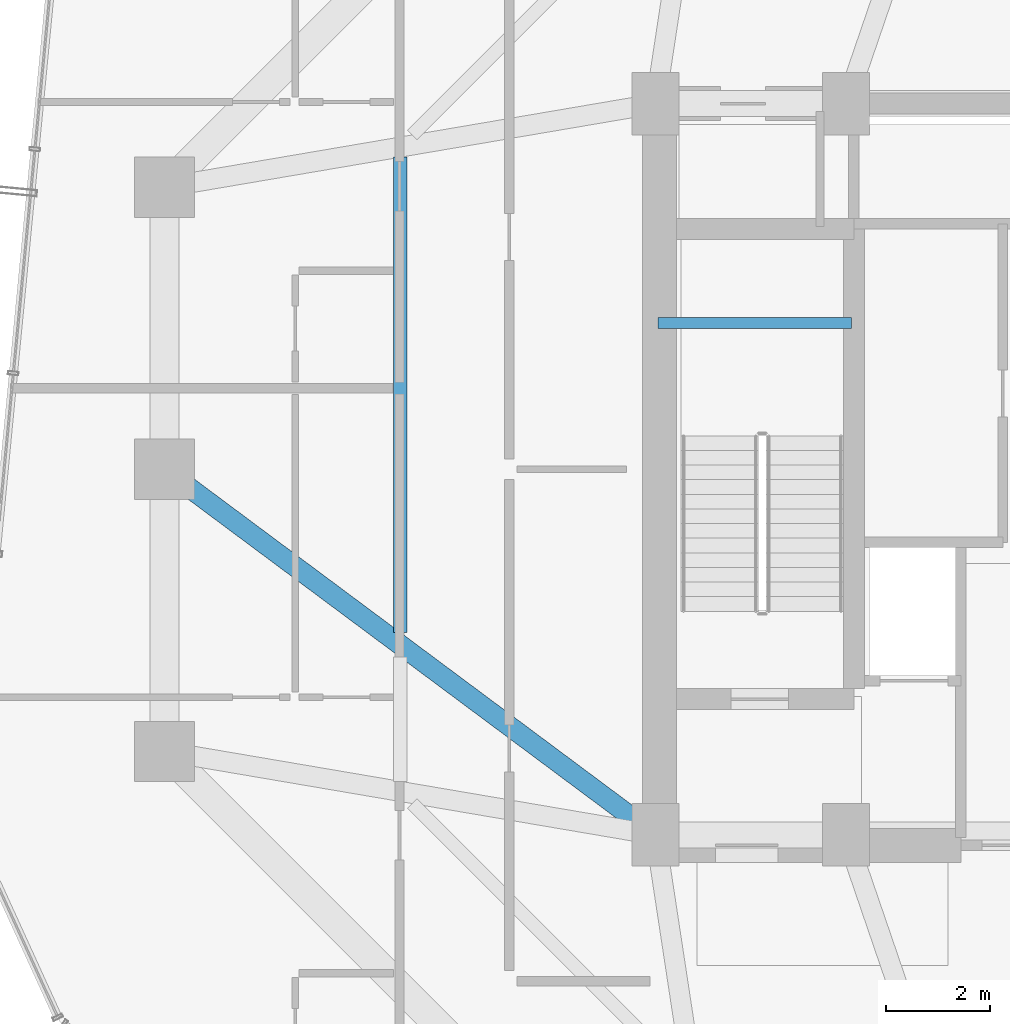
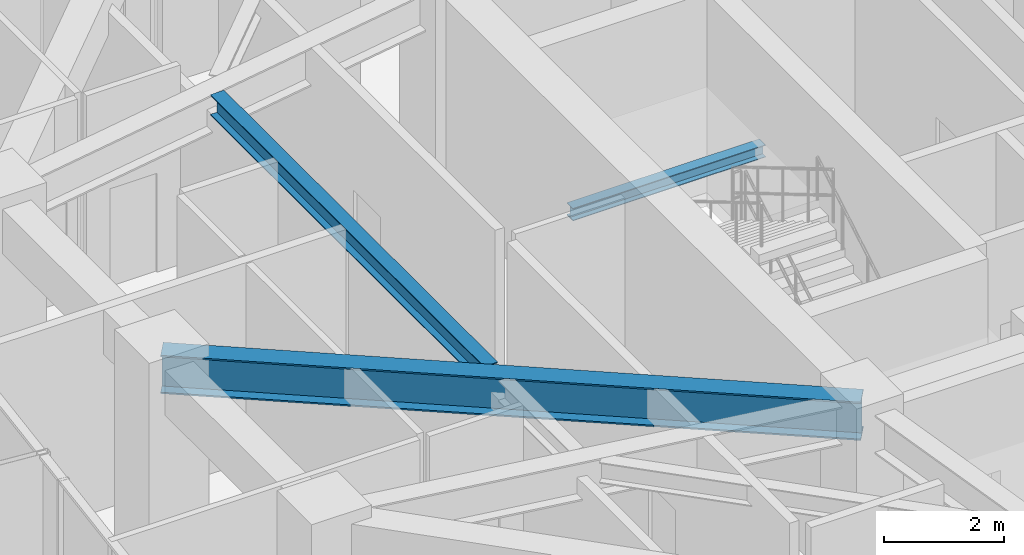
# One storey, part 9 of 25: 3 beams.
"""IFC4 building model written with IfcOpenShell, lengths in metres."""

from ifc_helpers import new_model, si_unit, direction, frame, origin, origin_2d, place, context, subcontext, project, spatial, i_section, extrude, material, material_profile, profile_set, type_object, element, save


model = new_model("IFC4")

# Units and contexts
model_context = context("Model", 3, precision=1e-05, world=origin(), true_north=direction((0.0, 1.0)))
body_context = subcontext(model_context, "Body", "Model", "MODEL_VIEW")
ifc_project = project(units=[si_unit("LENGTHUNIT", "METRE"), si_unit("AREAUNIT", "SQUARE_METRE"), si_unit("VOLUMEUNIT", "CUBIC_METRE"), si_unit("PLANEANGLEUNIT", "RADIAN"), si_unit("MASSUNIT", "GRAM", prefix="KILO")], contexts=[model_context])

# Site, building, storey
site_placement = place(None, origin())
site = spatial("IfcSite", under=ifc_project, at=site_placement, CompositionType="ELEMENT")
building_placement = place(site_placement, origin())
building = spatial("IfcBuilding", under=site, at=building_placement, Name="Veraguas Prism Commons", CompositionType="ELEMENT")
storey_placement = place(building_placement, frame((0.0, 0.0, 108.949951171875)))
storey = spatial("IfcBuildingStorey", under=building, at=storey_placement, Name="L30", CompositionType="ELEMENT", Elevation=108.949951171875)

# Beams
ifc_material = material(Name="Steel ASTM A992 Grade 50", Category="steel")
ifc_material_profile_1 = material_profile(ifc_material, i_section(OverallWidth=0.382080078125, OverallDepth=0.779052734375, WebThickness=0.01806640625, FlangeThickness=0.030029296875, at=origin_2d()), Name="W760X284")
ifc_profile_set_1 = profile_set([ifc_material_profile_1], Name="Steel ASTM A992 Grade 50")
beam_type_1 = type_object("IfcBeamType", Name="Assembly Primary Girder W760x284", PredefinedType="BEAM", material=ifc_profile_set_1)
beam_1_placement = place(storey_placement, frame((7.800048828125, 24.0, 3.66064453125), z_axis=(0.802040137921, -0.597270137512, 0.0), x_axis=(0.597270137512, 0.802040137921, 0.0)))
element("IfcBeam", 1, at=beam_1_placement, inside=storey, type_object=beam_type_1, Name="Radial Floor Girder L30-RD08", PredefinedType="BEAM", context=body_context, shape_type="SweptSolid", body=[
    extrude(i_section(OverallWidth=0.382080078125, OverallDepth=0.779052734375, WebThickness=0.01806640625, FlangeThickness=0.030029296875, at=origin_2d()), origin(), (0.0, 0.0, 1.0), 11.719970703125),
])
ifc_material_profile_2 = material_profile(ifc_material, i_section(OverallWidth=0.260986328125, OverallDepth=0.419921875, WebThickness=0.01171875, FlangeThickness=0.019287109375, at=origin_2d()), Name="W410X114")
ifc_profile_set_2 = profile_set([ifc_material_profile_2], Name="Steel ASTM A992 Grade 50")
beam_type_2 = type_object("IfcBeamType", Name="Lower Floor Joist W410x114", PredefinedType="JOIST", material=ifc_profile_set_2)
beam_2_placement = place(storey_placement, frame((12.31201171875, 29.976318359375, 3.840087890625), z_axis=(0.0, -1.0, 0.0), x_axis=(1.0, 0.0, 0.0)))
element("IfcBeam", 2, at=beam_2_placement, inside=storey, type_object=beam_type_2, Name="Composite Floor Joist L30-JS07", PredefinedType="JOIST", context=body_context, shape_type="SweptSolid", body=[
    extrude(i_section(OverallWidth=0.260986328125, OverallDepth=0.419921875, WebThickness=0.01171875, FlangeThickness=0.019287109375, at=origin_2d()), origin(), (0.0, 0.0, 1.0), 9.100830078125),
])
ifc_material_profile_3 = material_profile(ifc_material, i_section(OverallWidth=0.202880859375, OverallDepth=0.251953125, WebThickness=0.008056640625, FlangeThickness=0.013427734375, at=origin_2d()), Name="W250X58")
ifc_profile_set_3 = profile_set([ifc_material_profile_3], Name="Steel ASTM A992 Grade 50")
beam_type_3 = type_object("IfcBeamType", Name="Structural Opening Lintel W250x58", PredefinedType="LINTEL", material=ifc_profile_set_3)
beam_3_placement = place(storey_placement, frame((17.25, 26.800048828125, 1.823974609375), z_axis=(1.0, 0.0, 0.0), x_axis=(0.0, 1.0, 0.0)))
element("IfcBeam", 3, at=beam_3_placement, inside=storey, type_object=beam_type_3, Name="Stair ST-01 Half-Landing Support Beam L30-1", PredefinedType="LINTEL", context=body_context, shape_type="SweptSolid", body=[
    extrude(i_section(OverallWidth=0.202880859375, OverallDepth=0.251953125, WebThickness=0.008056640625, FlangeThickness=0.013427734375, at=origin_2d()), origin(), (0.0, 0.0, 1.0), 3.699951171875),
])

save(model, "model.ifc")
